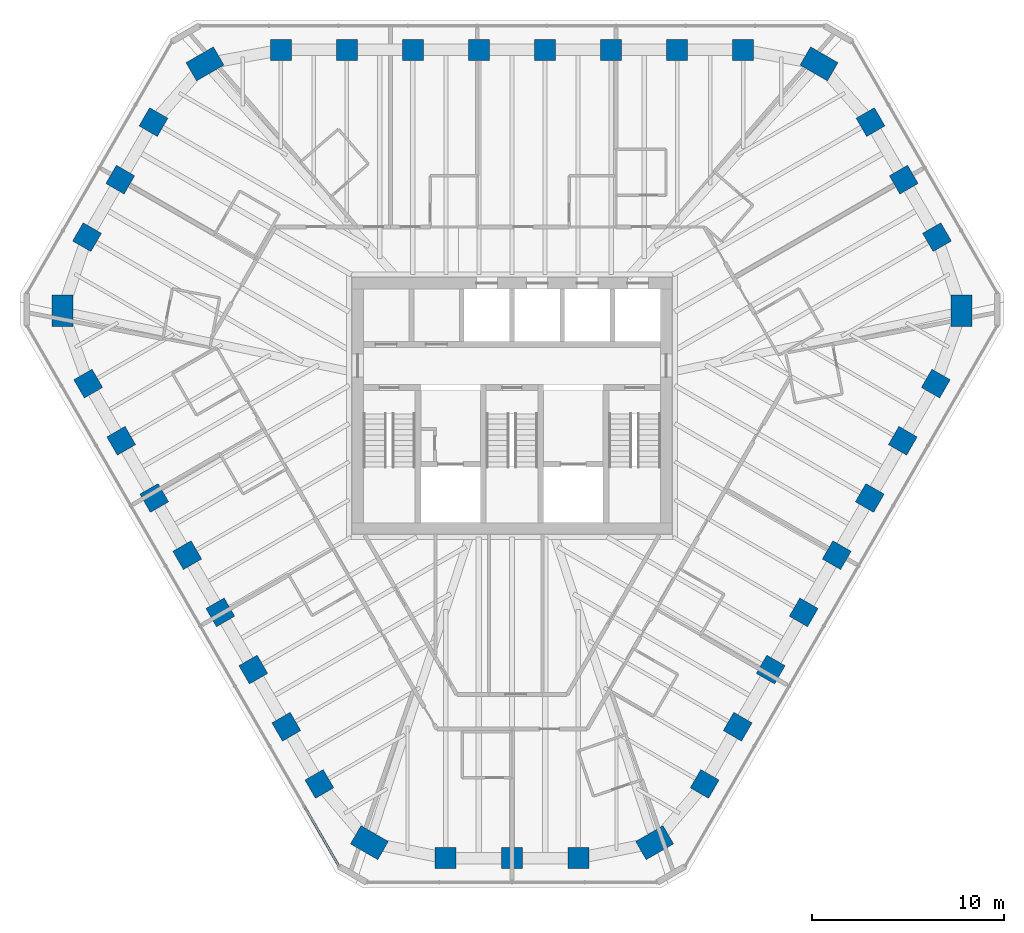
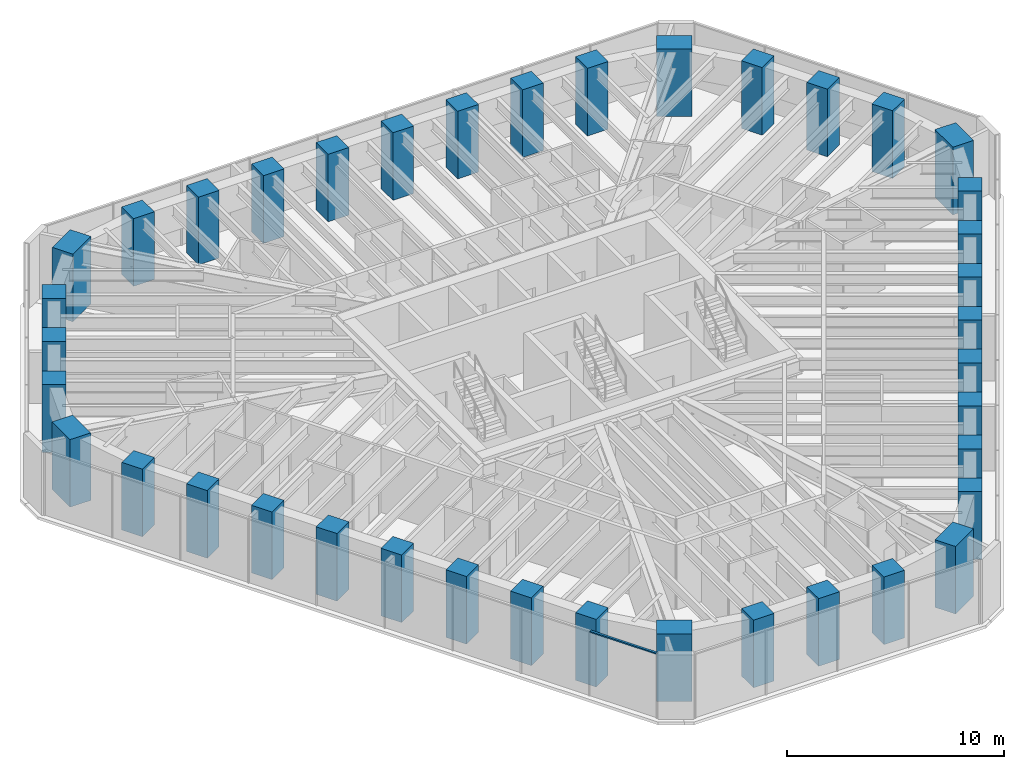
# One storey, part 1 of 14: 39 columns, 1 member, 1 element without a shape of its own.
"""IFC4 building model written with IfcOpenShell, lengths in metres."""

from ifc_helpers import new_model, si_unit, direction, frame, origin, origin_2d, place, context, subcontext, project, spatial, rectangle, extrude, material, material_profile, profile_set, type_object, element, aggregate, save


model = new_model("IFC4")

# Units and contexts
model_context = context("Model", 3, precision=1e-05, world=origin(), true_north=direction((0.0, 1.0)))
body_context = subcontext(model_context, "Body", "Model", "MODEL_VIEW")
ifc_project = project(units=[si_unit("LENGTHUNIT", "METRE"), si_unit("AREAUNIT", "SQUARE_METRE"), si_unit("VOLUMEUNIT", "CUBIC_METRE"), si_unit("PLANEANGLEUNIT", "RADIAN"), si_unit("MASSUNIT", "GRAM", prefix="KILO")], contexts=[model_context])

# Site, building, storey
site_placement = place(None, origin())
site = spatial("IfcSite", under=ifc_project, at=site_placement, CompositionType="ELEMENT")
building_placement = place(site_placement, origin())
building = spatial("IfcBuilding", under=site, at=building_placement, Name="Sandreach Pilgrim Tower", CompositionType="ELEMENT")
storey_placement = place(building_placement, frame((0.0, 0.0, 283.60009765625)))
storey = spatial("IfcBuildingStorey", under=building, at=storey_placement, Name="L71", CompositionType="ELEMENT", Elevation=283.60009765625)

# Columns
ifc_material_1 = material(Name="Concrete 10000 psi", Category="concrete")
ifc_material_profile_1 = material_profile(ifc_material_1, rectangle(XDim=1.10009765625, YDim=1.10009765625, at=origin_2d()), Name="RC1100X1100")
ifc_profile_set_1 = profile_set([ifc_material_profile_1], Name="Concrete 10000 psi")
column_type_1 = type_object("IfcColumnType", Name="Tube column RC1100X1100", PredefinedType="COLUMN", material=ifc_profile_set_1)
for number, where, z_axis, x_axis, name in (
    (1, (-12.0576171875, 18.56640625, 0.0), (0.0, 0.0, 1.0), (0.0, 1.0, 0.0), "COL L71 T01"),
    (2, (-8.612548828125, 18.56640625, 0.0), (0.0, 0.0, 1.0), (0.0, 1.0, 0.0), "COL L71 T02"),
    (3, (-5.16748046875, 18.56640625, 0.0), (0.0, 0.0, 1.0), (0.0, 1.0, 0.0), "COL L71 T03"),
    (4, (-1.722412109375, 18.56640625, 0.0), (0.0, 0.0, 1.0), (0.0, 1.0, 0.0), "COL L71 T04"),
    (5, (1.722412109375, 18.56640625, 0.0), (0.0, 0.0, 1.0), (0.0, 1.0, 0.0), "COL L71 T05"),
    (6, (5.16748046875, 18.56640625, 0.0), (0.0, 0.0, 1.0), (0.0, 1.0, 0.0), "COL L71 T06"),
    (7, (8.612548828125, 18.56640625, 0.0), (0.0, 0.0, 1.0), (0.0, 1.0, 0.0), "COL L71 T07"),
    (8, (12.0576171875, 18.56640625, 0.0), (0.0, 0.0, 1.0), (0.0, 1.0, 0.0), "COL L71 T08"),
    (9, (18.70361328125, 14.80029296875, 0.0), (0.0, 0.0, 1.0), (0.866025403784, 0.5, 0.0), "COL L71 T10"),
    (10, (20.4365234375, 11.799072265625, 0.0), (0.0, 0.0, 1.0), (0.866025403784, 0.5, 0.0), "COL L71 T11"),
    (11, (22.169189453125, 8.7978515625, 0.0), (0.0, 0.0, 1.0), (0.866025403784, 0.5, 0.0), "COL L71 T12"),
    (12, (22.10791015625, 1.158935546875, 0.0), (0.0, 0.0, 1.0), (0.866025403784, -0.5, 0.0), "COL L71 T14"),
    (13, (20.38525390625, -1.824462890625, 0.0), (0.0, 0.0, 1.0), (0.866025403784, -0.5, 0.0), "COL L71 T15"),
    (14, (18.662841796875, -4.80810546875, 0.0), (0.0, 0.0, 1.0), (0.866025403784, -0.5, 0.0), "COL L71 T16"),
    (15, (16.940185546875, -7.79150390625, 0.0), (0.0, 0.0, 1.0), (0.866025403784, -0.5, 0.0), "COL L71 T17"),
    (16, (15.2177734375, -10.77490234375, 0.0), (0.0, 0.0, 1.0), (0.866025403784, -0.5, 0.0), "COL L71 T18"),
    (17, (13.4951171875, -13.758544921875, 0.0), (0.0, 0.0, 1.0), (0.866025403784, -0.5, 0.0), "COL L71 T19"),
    (18, (11.772705078125, -16.741943359375, 0.0), (0.0, 0.0, 1.0), (0.866025403784, -0.5, 0.0), "COL L71 T20"),
    (19, (10.05029296875, -19.725341796875, 0.0), (0.0, 0.0, 1.0), (0.866025403784, -0.5, 0.0), "COL L71 T21"),
    (20, (3.465576171875, -23.59814453125, 0.0), (0.0, 0.0, 1.0), (0.0, -1.0, 0.0), "COL L71 T23"),
    (21, (0.0, -23.59814453125, 0.0), (0.0, 0.0, 1.0), (0.0, -1.0, 0.0), "COL L71 T24"),
    (22, (-3.465576171875, -23.59814453125, 0.0), (0.0, 0.0, 1.0), (0.0, -1.0, 0.0), "COL L71 T25"),
    (23, (-10.05029296875, -19.725341796875, 0.0), (0.0, 0.0, 1.0), (-0.866025403784, -0.5, 0.0), "COL L71 T27"),
    (24, (-11.772705078125, -16.741943359375, 0.0), (0.0, 0.0, 1.0), (-0.866025403784, -0.5, 0.0), "COL L71 T28"),
    (25, (-13.4951171875, -13.758544921875, 0.0), (0.0, 0.0, 1.0), (-0.866025403784, -0.5, 0.0), "COL L71 T29"),
    (26, (-15.2177734375, -10.77490234375, 0.0), (0.0, 0.0, 1.0), (-0.866025403784, -0.5, 0.0), "COL L71 T30"),
    (27, (-16.940185546875, -7.79150390625, 0.0), (0.0, 0.0, 1.0), (-0.866025403784, -0.5, 0.0), "COL L71 T31"),
    (28, (-18.662841796875, -4.80810546875, 0.0), (0.0, 0.0, 1.0), (-0.866025403784, -0.5, 0.0), "COL L71 T32"),
    (29, (-20.38525390625, -1.824462890625, 0.0), (0.0, 0.0, 1.0), (-0.866025403784, -0.5, 0.0), "COL L71 T33"),
    (30, (-22.10791015625, 1.158935546875, 0.0), (0.0, 0.0, 1.0), (-0.866025403784, -0.5, 0.0), "COL L71 T34"),
    (31, (-22.169189453125, 8.7978515625, 0.0), (0.0, 0.0, 1.0), (-0.866025403784, 0.5, 0.0), "COL L71 T36"),
    (32, (-20.4365234375, 11.799072265625, 0.0), (0.0, 0.0, 1.0), (-0.866025403784, 0.5, 0.0), "COL L71 T37"),
    (33, (-18.70361328125, 14.80029296875, 0.0), (0.0, 0.0, 1.0), (-0.866025403784, 0.5, 0.0), "COL L71 T38"),
):
    element("IfcColumn", number, at=place(storey_placement, frame(where, z_axis=z_axis, x_axis=x_axis)), inside=storey, type_object=column_type_1, Name=name, PredefinedType="COLUMN", context=body_context, shape_type="SweptSolid", body=[
        extrude(rectangle(XDim=1.10009765625, YDim=1.10009765625, at=origin_2d()), origin(), (0.0, 0.0, 1.0), 3.7998046875),
    ])
ifc_material_2 = material(Name="Concrete 10000 psi", Category="concrete")
ifc_material_profile_2 = material_profile(ifc_material_2, rectangle(XDim=1.10009765625, YDim=1.64990234375, at=origin_2d()), Name="RC1100X1650")
ifc_profile_set_2 = profile_set([ifc_material_profile_2], Name="Concrete 10000 psi")
column_type_2 = type_object("IfcColumnType", Name="Tube corner pier RC1100X1650", PredefinedType="COLUMN", material=ifc_profile_set_2)
for number, where, z_axis, x_axis, name in (
    (34, (16.0166015625, 17.837158203125, 0.0), (0.0, 0.0, 1.0), (0.5, 0.866025403784, 0.0), "COL L71 T09"),
    (35, (23.455810546875, 4.952392578125, 0.0), (0.0, 0.0, 1.0), (1.0, 0.0, 0.0), "COL L71 T13"),
    (36, (7.439208984375, -22.78955078125, 0.0), (0.0, 0.0, 1.0), (0.5, -0.866025403784, 0.0), "COL L71 T22"),
    (37, (-7.439208984375, -22.78955078125, 0.0), (0.0, 0.0, 1.0), (-0.5, -0.866025403784, 0.0), "COL L71 T26"),
    (38, (-23.455810546875, 4.952392578125, 0.0), (0.0, 0.0, 1.0), (-1.0, 0.0, 0.0), "COL L71 T35"),
    (39, (-16.0166015625, 17.837158203125, 0.0), (0.0, 0.0, 1.0), (-0.5, 0.866025403784, 0.0), "COL L71 T39"),
):
    element("IfcColumn", number, at=place(storey_placement, frame(where, z_axis=z_axis, x_axis=x_axis)), inside=storey, type_object=column_type_2, Name=name, PredefinedType="COLUMN", context=body_context, shape_type="SweptSolid", body=[
        extrude(rectangle(XDim=1.10009765625, YDim=1.64990234375, at=origin_2d()), origin(), (0.0, 0.0, 1.0), 3.7998046875),
    ])

# Curtain wall, member
ifc_material_3 = material(Name="Aluminium framed curtain wall", Category="aluminium")
curtain_wall_type = type_object("IfcCurtainWallType", Name="Suite tower curtain wall", PredefinedType="NOTDEFINED", material=ifc_material_3)
curtain_wall_placement = place(storey_placement, origin())
curtain_wall = element("IfcCurtainWall", 40, at=curtain_wall_placement, inside=storey, type_object=curtain_wall_type, Name="CW-4 L71 SW", PredefinedType="NOTDEFINED")
ifc_material_4 = material(Name="Aluminium extrusion", Category="aluminium")
ifc_material_profile_3 = material_profile(ifc_material_4, rectangle(XDim=0.1201171875, YDim=0.070068359375, at=origin_2d()), Name="CW-4T 120X70")
ifc_profile_set_3 = profile_set([ifc_material_profile_3], Name="Aluminium extrusion")
member_type = type_object("IfcMemberType", Name="CW-4 transom", PredefinedType="USERDEFINED", material=ifc_profile_set_3)
member_placement = place(storey_placement, frame((-9.051025390625, -23.97607421875, 3.60498046875), z_axis=(-0.499997709859, 0.866026725994, 0.0), x_axis=(-0.866026725994, -0.499997709859, 0.0)))
member = element("IfcMember", 41, at=member_placement, type_object=member_type, Name="CW-4 head transom 1", ObjectType="TRANSOM", PredefinedType="USERDEFINED", context=body_context, shape_type="SweptSolid", body=[
    extrude(rectangle(XDim=0.1201171875, YDim=0.070068359375, at=origin_2d()), origin(), (0.0, 0.0, 1.0), 3.53173828125),
])
aggregate(curtain_wall, [member])

save(model, "model.ifc")
